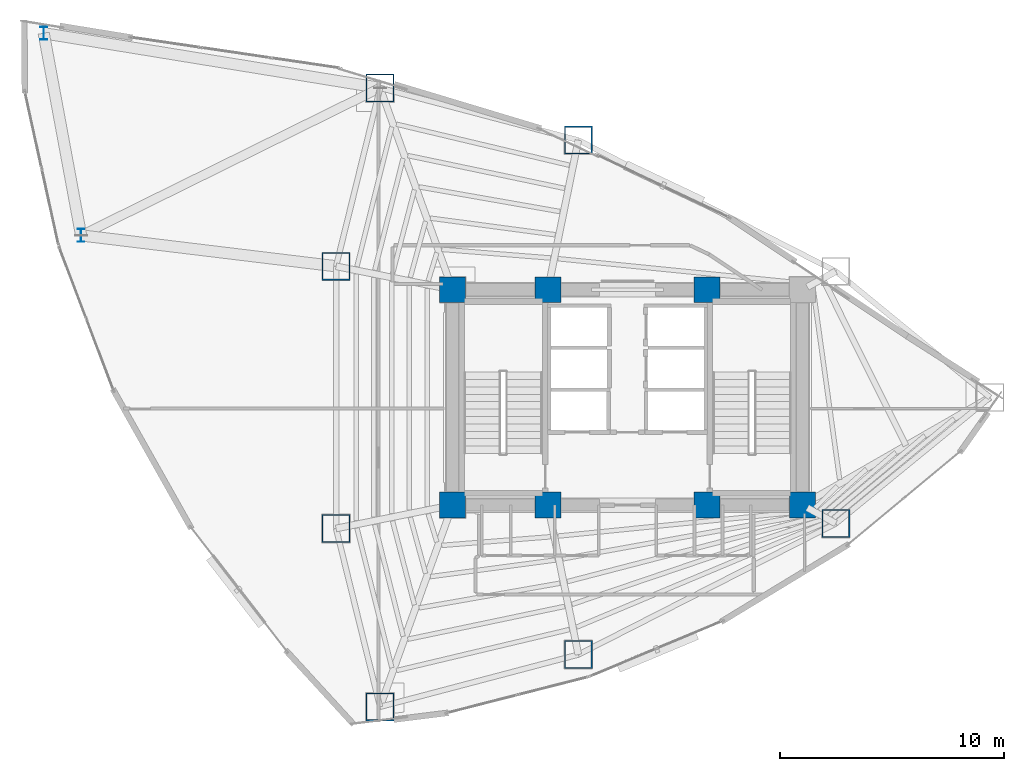
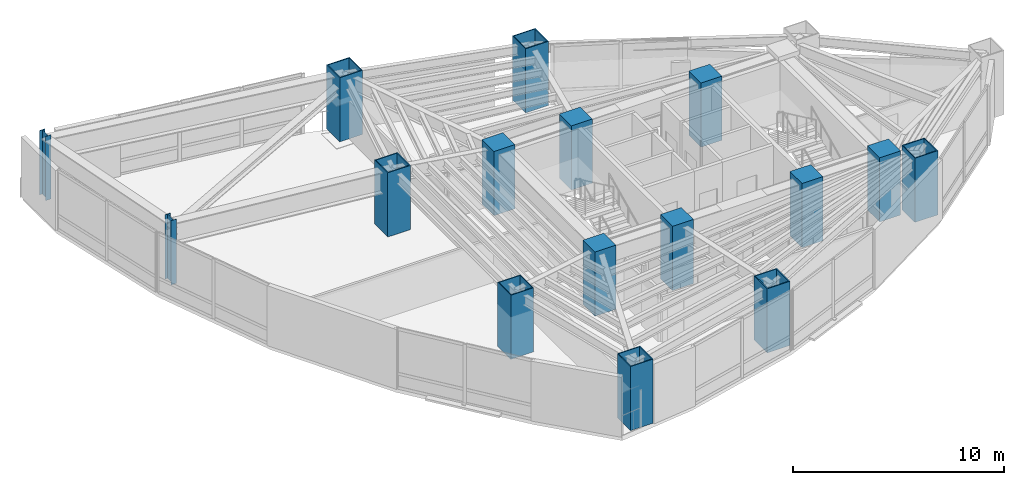
# One storey, part 1 of 23: 16 columns.
"""IFC4 building model written with IfcOpenShell, lengths in metres."""

import ifcopenshell
import ifcopenshell.guid

model = None  # the IFC model being written
_history = None  # IfcOwnerHistory: only IFC2X3 demands one
_inside = {}  # id of a spatial element -> (the spatial element, [elements in it])
_under = {}  # id of a project, library or spatial element -> (it, [spatial elements below it])
_declared = {}  # id of a project -> (the project, [libraries it declares])
_typed = {}  # id of a type object -> (the type object, [elements of that type])
_made_of = {}  # id of a material, layer set ... -> (it, [elements and type objects made of it])


def new_model(schema):
    """Start an empty IFC model of exactly this schema.

    Asked for "IFC4X3", IfcOpenShell would pick the latest addendum, in which some entities
    have other attributes; the version numbers below select the first issue.
    IFC2X3 requires an IfcOwnerHistory on every rooted entity: one is made here for all.
    """
    global model, _history
    if schema == "IFC4X3":
        model = ifcopenshell.file(schema_version=(4, 3, 0, 0))
    else:
        model = ifcopenshell.file(schema=schema)
    _inside.clear()
    _under.clear()
    _declared.clear()
    _typed.clear()
    _made_of.clear()
    _history = None
    if model.schema == "IFC2X3":
        org = make("IfcOrganization", Name="unknown")
        user = make(
            "IfcPersonAndOrganization",
            ThePerson=make("IfcPerson", FamilyName="unknown"),
            TheOrganization=org,
        )
        app = make(
            "IfcApplication",
            ApplicationDeveloper=org,
            Version="unknown",
            ApplicationFullName="unknown",
            ApplicationIdentifier="unknown",
        )
        _history = make(
            "IfcOwnerHistory",
            OwningUser=user,
            OwningApplication=app,
            ChangeAction="ADDED",
            CreationDate=0,
        )
    return model


def make(cls, **values):
    """One entity of the class cls with the attributes given. An attribute that is None is left unset."""
    return model.create_entity(
        cls, **{name: value for name, value in values.items() if value is not None}
    )


def rooted(cls, **values):
    """An entity with a GlobalId (a new one), such as an element, a storey or a relation."""
    return make(cls, GlobalId=ifcopenshell.guid.new(), OwnerHistory=_history, **values)


def si_unit(unit_type, name, prefix=None):
    """IfcSIUnit, for example si_unit("LENGTHUNIT", "METRE", prefix="MILLI")."""
    return make("IfcSIUnit", UnitType=unit_type, Prefix=prefix, Name=name)


def assignment(units):
    """IfcUnitAssignment: the units of a project."""
    return None if units is None else make("IfcUnitAssignment", Units=units)


def point(xyz):
    """IfcCartesianPoint."""
    return None if xyz is None else make("IfcCartesianPoint", Coordinates=xyz)


def direction(xyz):
    """IfcDirection."""
    return None if xyz is None else make("IfcDirection", DirectionRatios=xyz)


def frame(location, z_axis=None, x_axis=None):
    """IfcAxis2Placement3D, a coordinate frame: its origin and axes. An axis left out is left unset."""
    return make(
        "IfcAxis2Placement3D",
        Location=point(location),
        Axis=direction(z_axis),
        RefDirection=direction(x_axis),
    )


def frame_2d(location, x_axis=None):
    """IfcAxis2Placement2D, a coordinate frame in the plane: its origin and x axis."""
    return make(
        "IfcAxis2Placement2D", Location=point(location), RefDirection=direction(x_axis)
    )


def origin():
    """The frame at (0, 0, 0) with its axes left unset."""
    return frame((0.0, 0.0, 0.0))


def origin_2d():
    """The frame at (0, 0) in the plane with its x axis left unset."""
    return frame_2d((0.0, 0.0))


def place(relative_to, where):
    """IfcLocalPlacement: puts the frame where relative to a parent placement (None: the world)."""
    return make(
        "IfcLocalPlacement", PlacementRelTo=relative_to, RelativePlacement=where
    )


def context(
    kind, dimensions, precision=None, world=None, true_north=None, identifier=None
):
    """IfcGeometricRepresentationContext, for example the 3D "Model" context."""
    return make(
        "IfcGeometricRepresentationContext",
        ContextIdentifier=identifier,
        ContextType=kind,
        CoordinateSpaceDimension=dimensions,
        Precision=precision,
        WorldCoordinateSystem=world,
        TrueNorth=true_north,
    )


def subcontext(parent, identifier, kind, view, scale=None):
    """IfcGeometricRepresentationSubContext, for example "Body" below "Model"."""
    return make(
        "IfcGeometricRepresentationSubContext",
        ContextIdentifier=identifier,
        ContextType=kind,
        ParentContext=parent,
        TargetScale=scale,
        TargetView=view,
    )


def project(units=None, contexts=None):
    """IfcProject with its units and contexts."""
    return rooted(
        "IfcProject",
        Name="project",
        RepresentationContexts=contexts,
        UnitsInContext=assignment(units),
    )


def spatial(cls, under=None, at=None, **own):
    """A site, building, storey or space (cls), placed at a placement, below another one or the project."""
    s = rooted(cls, ObjectPlacement=at, **own)
    if under is not None:
        _under.setdefault(under.id(), (under, []))[1].append(s)
    return s


def profile(cls, at=None, kind="AREA", **sizes):
    """A parametric profile (cls). Its sizes go by their IFC names, for example OverallWidth=200.0."""
    return make(cls, ProfileType=kind, Position=at, **sizes)


def rectangle(**sizes):
    """IfcRectangleProfileDef."""
    return profile("IfcRectangleProfileDef", **sizes)


def hollow_rectangle(**sizes):
    """IfcRectangleHollowProfileDef."""
    return profile("IfcRectangleHollowProfileDef", **sizes)


def i_section(**sizes):
    """IfcIShapeProfileDef."""
    return profile("IfcIShapeProfileDef", **sizes)


def extrude(swept, where, along, depth):
    """IfcExtrudedAreaSolid: the profile swept, set in the frame where, extruded along a direction by depth."""
    return make(
        "IfcExtrudedAreaSolid",
        SweptArea=swept,
        Position=where,
        ExtrudedDirection=direction(along),
        Depth=depth,
    )


def shape(context_of_items, identifier, shape_type, items):
    """IfcShapeRepresentation: the items that make up one representation, for example the "Body"."""
    return make(
        "IfcShapeRepresentation",
        ContextOfItems=context_of_items,
        RepresentationIdentifier=identifier,
        RepresentationType=shape_type,
        Items=items,
    )


def material(Name=None, Category=None):
    """IfcMaterial."""
    return make("IfcMaterial", Name=Name, Category=Category)


def material_profile(
    of_material, cross_section, Name=None, Category=None, Priority=None
):
    """IfcMaterialProfile: a cross section and its material."""
    return make(
        "IfcMaterialProfile",
        Name=Name,
        Material=of_material,
        Profile=cross_section,
        Priority=Priority,
        Category=Category,
    )


def profile_set(profiles, Name=None, composite=None):
    """IfcMaterialProfileSet."""
    return make(
        "IfcMaterialProfileSet",
        Name=Name,
        MaterialProfiles=profiles,
        CompositeProfile=composite,
    )


def made_of(thing, what):
    """Note that an element or type object is made of a material, layer set ...; save() writes the relation."""
    if what is not None:
        _made_of.setdefault(what.id(), (what, []))[1].append(thing)
    return thing


def type_object(cls, material=None, **own):
    """A type object (cls), such as IfcWallType, which elements share."""
    return made_of(rooted(cls, **own), material)


def element(
    cls,
    number,
    at=None,
    inside=None,
    cuts=None,
    type_object=None,
    material=None,
    context=None,
    identifier="Body",
    shape_type=None,
    held_by="IfcProductDefinitionShape",
    body=None,
    shapes=None,
    **own,
):
    """One element of the class cls, such as IfcWall. Its Tag is "e" and its number.

    at: its placement. inside: the storey or other place that contains it. cuts: it is an
    opening in that element (IfcRelVoidsElement). A single representation is given by context,
    identifier, shape_type and body (its items); several are given by shapes. held_by: the class
    of the entity that holds the representations. save() writes the other relations.
    """
    e = rooted(cls, Tag="e%d" % number, ObjectPlacement=at, **own)
    if body is not None:
        shapes = [shape(context, identifier, shape_type, body)]
    if shapes is not None:
        e.Representation = make(held_by, Representations=shapes)
    if inside is not None:
        _inside.setdefault(inside.id(), (inside, []))[1].append(e)
    if cuts is not None:
        rooted(
            "IfcRelVoidsElement", RelatingBuildingElement=cuts, RelatedOpeningElement=e
        )
    if type_object is not None:
        _typed.setdefault(type_object.id(), (type_object, []))[1].append(e)
    return made_of(e, material)


def aggregate(whole, parts):
    """IfcRelAggregates: a whole, such as a stair, and the parts it consists of."""
    return rooted("IfcRelAggregates", RelatingObject=whole, RelatedObjects=parts)


def save(model, path):
    """Write the relations noted so far, then the file.

    IfcRelAggregates (storeys below a building ...), IfcRelContainedInSpatialStructure (elements
    in a storey), IfcRelDefinesByType, IfcRelAssociatesMaterial and IfcRelDeclares: one each for
    every whole, place, type object, material and project.
    """
    for whole, parts in _under.values():
        aggregate(whole, parts)
    for where, things in _inside.values():
        rooted(
            "IfcRelContainedInSpatialStructure",
            RelatedElements=things,
            RelatingStructure=where,
        )
    for kind, things in _typed.values():
        rooted("IfcRelDefinesByType", RelatedObjects=things, RelatingType=kind)
    for what, things in _made_of.values():
        rooted("IfcRelAssociatesMaterial", RelatedObjects=things, RelatingMaterial=what)
    for by, libraries in _declared.values():
        rooted("IfcRelDeclares", RelatingContext=by, RelatedDefinitions=libraries)
    model.write(path)


model = new_model("IFC4")

# Units and contexts
model_context = context("Model", 3, precision=1e-05, world=origin(), true_north=direction((0.0, 1.0)))
body_context = subcontext(model_context, "Body", "Model", "MODEL_VIEW")
ifc_project = project(units=[si_unit("LENGTHUNIT", "METRE"), si_unit("AREAUNIT", "SQUARE_METRE"), si_unit("VOLUMEUNIT", "CUBIC_METRE"), si_unit("PLANEANGLEUNIT", "RADIAN"), si_unit("MASSUNIT", "GRAM", prefix="KILO")], contexts=[model_context])

# Site, building, storey
site_placement = place(None, origin())
site = spatial("IfcSite", under=ifc_project, at=site_placement, CompositionType="ELEMENT")
building_placement = place(site_placement, origin())
building = spatial("IfcBuilding", under=site, at=building_placement, Name="Menara Vayukalpa", CompositionType="ELEMENT")
storey_placement = place(building_placement, frame((0.0, 0.0, 103.97998046875)))
storey = spatial("IfcBuildingStorey", under=building, at=storey_placement, Name="L25", CompositionType="ELEMENT", Elevation=103.97998046875)

# Columns
ifc_material_1 = material(Name="Concrete C80/95", Category="concrete")
ifc_material_profile_1 = material_profile(ifc_material_1, rectangle(XDim=1.14990234375, YDim=1.14990234375, at=origin_2d()), Name="RC 1150x1150")
ifc_profile_set_1 = profile_set([ifc_material_profile_1], Name="Concrete C80/95")
column_type_1 = type_object("IfcColumnType", Name="COL-CC1", PredefinedType="COLUMN", material=ifc_profile_set_1)
for number, where, z_axis, x_axis, name in (
    (1, (17.800048828125, 17.199951171875, 0.0), (0.0, 0.0, 1.0), (1.0, 0.0, 0.0), "L25 Core Pilaster Column CC1"),
    (2, (22.050048828125, 17.199951171875, 0.0), (0.0, 0.0, 1.0), (1.0, 0.0, 0.0), "L25 Core Pilaster Column CC2"),
    (3, (29.14990234375, 17.199951171875, 0.0), (0.0, 0.0, 1.0), (1.0, 0.0, 0.0), "L25 Core Pilaster Column CC3"),
    (4, (33.39990234375, 17.199951171875, 0.0), (0.0, 0.0, 1.0), (1.0, 0.0, 0.0), "L25 Core Pilaster Column CC4"),
    (5, (17.800048828125, 26.800048828125, 0.0), (0.0, 0.0, 1.0), (1.0, 0.0, 0.0), "L25 Core Pilaster Column CC5"),
    (6, (22.050048828125, 26.800048828125, 0.0), (0.0, 0.0, 1.0), (1.0, 0.0, 0.0), "L25 Core Pilaster Column CC6"),
    (7, (29.14990234375, 26.800048828125, 0.0), (0.0, 0.0, 1.0), (1.0, 0.0, 0.0), "L25 Core Pilaster Column CC7"),
):
    element("IfcColumn", number, at=place(storey_placement, frame(where, z_axis=z_axis, x_axis=x_axis)), inside=storey, type_object=column_type_1, Name=name, PredefinedType="COLUMN", context=body_context, shape_type="SweptSolid", body=[
        extrude(rectangle(XDim=1.14990234375, YDim=1.14990234375, at=origin_2d()), origin(), (0.0, 0.0, 1.0), 3.719970703125),
    ])
ifc_material_2 = material(Name="Steel S460", Category="steel")
ifc_material_profile_2 = material_profile(ifc_material_2, hollow_rectangle(XDim=1.25, YDim=1.25, WallThickness=0.050048828125, at=origin_2d()), Name="BOX 1250x1250x50")
ifc_profile_set_2 = profile_set([ifc_material_profile_2], Name="Steel S460")
column_type_2 = type_object("IfcColumnType", Name="COL-MC2", PredefinedType="COLUMN", material=ifc_profile_set_2)
for number, where, z_axis, x_axis, name in (
    (8, (23.408203125, 33.46728515625, 0.0), (0.0, 0.0, 1.0), (1.0, 0.0, 0.0), "L25 Perimeter Mega Column P03"),
    (9, (14.569091796875, 35.79736328125, 0.0), (0.0, 0.0, 1.0), (1.0, 0.0, 0.0), "L25 Perimeter Mega Column P04"),
    (10, (12.606689453125, 27.845703125, 0.0), (0.0, 0.0, 1.0), (1.0, 0.0, 0.0), "L25 Perimeter Mega Column P05"),
    (11, (12.606689453125, 16.154296875, 0.0), (0.0, 0.0, 1.0), (1.0, 0.0, 0.0), "L25 Perimeter Mega Column P06"),
    (12, (14.569091796875, 8.20263671875, 0.0), (0.0, 0.0, 1.0), (1.0, 0.0, 0.0), "L25 Perimeter Mega Column P07"),
    (13, (23.408203125, 10.53271484375, 0.0), (0.0, 0.0, 1.0), (1.0, 0.0, 0.0), "L25 Perimeter Mega Column P08"),
    (14, (34.88671875, 16.37841796875, 0.0), (0.0, 0.0, 1.0), (1.0, 0.0, 0.0), "L25 Perimeter Mega Column P09"),
):
    element("IfcColumn", number, at=place(storey_placement, frame(where, z_axis=z_axis, x_axis=x_axis)), inside=storey, type_object=column_type_2, Name=name, PredefinedType="COLUMN", context=body_context, shape_type="SweptSolid", body=[
        extrude(hollow_rectangle(XDim=1.25, YDim=1.25, WallThickness=0.050048828125, at=origin_2d()), origin(), (0.0, 0.0, 1.0), 3.719970703125),
    ])
ifc_material_3 = material(Name="Steel S460", Category="steel")
ifc_material_profile_3 = material_profile(ifc_material_3, i_section(OverallWidth=0.300048828125, OverallDepth=0.587890625, WebThickness=0.011962890625, FlangeThickness=0.02001953125, at=origin_2d()), Name="H 588x300x12x20")
ifc_profile_set_3 = profile_set([ifc_material_profile_3], Name="Steel S460")
column_type_3 = type_object("IfcColumnType", Name="COL-SC1", PredefinedType="COLUMN", material=ifc_profile_set_3)
for number, where, z_axis, x_axis, name in (
    (15, (-0.4287109375, 38.2373046875, 0.0), (0.0, 0.0, 1.0), (1.0, 0.0, 0.0), "L25 SB2 Sky Bar Vierendeel Column SB04"),
    (16, (1.239990234375, 29.22314453125, 0.0), (0.0, 0.0, 1.0), (1.0, 0.0, 0.0), "L25 SB2 Sky Bar Vierendeel Column SB05"),
):
    element("IfcColumn", number, at=place(storey_placement, frame(where, z_axis=z_axis, x_axis=x_axis)), inside=storey, type_object=column_type_3, Name=name, PredefinedType="COLUMN", context=body_context, shape_type="SweptSolid", body=[
        extrude(i_section(OverallWidth=0.300048828125, OverallDepth=0.587890625, WebThickness=0.011962890625, FlangeThickness=0.02001953125, at=origin_2d()), origin(), (0.0, 0.0, 1.0), 3.719970703125),
    ])

save(model, "model.ifc")
